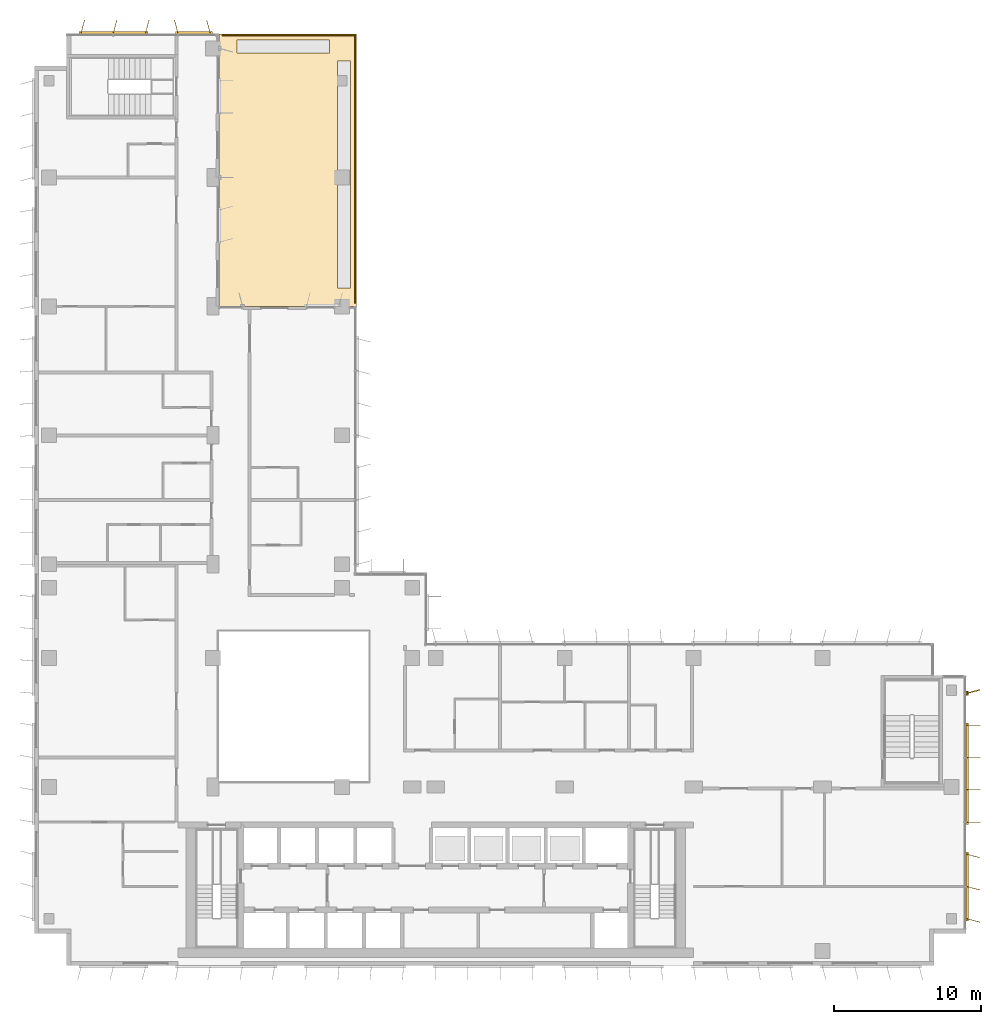
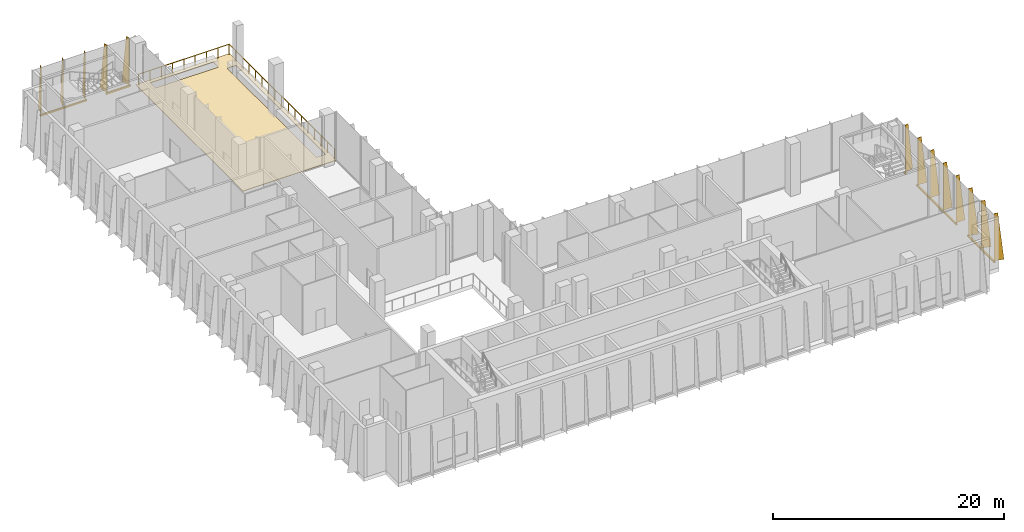
# One storey, part 23 of 24: 5 shading devices, 1 covering, 1 railing.
"""IFC4 building model written with IfcOpenShell, lengths in metres."""

from ifc_helpers import new_model, si_unit, direction, frame, origin, origin_2d, place, context, subcontext, project, spatial, polyline, rectangle, circle, outline, extrude, source, transform, mapped, material, layer, layer_set, type_object, element, save


model = new_model("IFC4")

# Units and contexts
model_context = context("Model", 3, precision=1e-05, world=origin(), true_north=direction((0.0, 1.0)))
body_context = subcontext(model_context, "Body", "Model", "MODEL_VIEW")
ifc_project = project(units=[si_unit("LENGTHUNIT", "METRE"), si_unit("AREAUNIT", "SQUARE_METRE"), si_unit("VOLUMEUNIT", "CUBIC_METRE"), si_unit("PLANEANGLEUNIT", "RADIAN"), si_unit("MASSUNIT", "GRAM", prefix="KILO")], contexts=[model_context])

# Site, building, storey
site_placement = place(None, origin())
site = spatial("IfcSite", under=ifc_project, at=site_placement, CompositionType="ELEMENT")
building_placement = place(site_placement, origin())
building = spatial("IfcBuilding", under=site, at=building_placement, Name="Kemantara Hotel Tower", CompositionType="ELEMENT")
storey_placement = place(building_placement, frame((0.0, 0.0, 202.5)))
storey = spatial("IfcBuildingStorey", under=building, at=storey_placement, Name="L50", CompositionType="ELEMENT", Elevation=202.5)

# Railing
ifc_material_1 = material(Name="Stainless steel 316 (EN 1.4401)", Category="steel")
railing_type = type_object("IfcRailingType", Name="TERRACE GUARD, STAINLESS STEEL 1100", PredefinedType="GUARDRAIL", material=ifc_material_1)
railing_placement = place(storey_placement, frame((12.85009765625, 63.5, 0.0)))
element("IfcRailing", 1, at=railing_placement, inside=storey, type_object=railing_type, Name="TERRACE GUARD TERRACE-SPA-1", PredefinedType="GUARDRAIL", context=body_context, shape_type="SweptSolid", body=[
    extrude(circle(Radius=0.02490234375, at=origin_2d()), frame((0.0, 0.0, 1.0751953125), z_axis=(1.0, 0.0, 0.0), x_axis=(0.0, 1.0, 0.0)), (0.0, 0.0, 1.0), 9.0498046875),
    extrude(circle(Radius=0.02490234375, at=origin_2d()), frame((9.0498046875, 0.0, 1.0751953125), z_axis=(0.0, -1.0, 0.0), x_axis=(1.0, 0.0, 0.0)), (0.0, 0.0, 1.0), 18.25),
    extrude(circle(Radius=0.02001953125, at=origin_2d()), origin(), (0.0, 0.0, 1.0), 1.050048828125),
    extrude(circle(Radius=0.02001953125, at=origin_2d()), frame((1.13134765625, 0.0, 0.0)), (0.0, 0.0, 1.0), 1.050048828125),
    extrude(circle(Radius=0.02001953125, at=origin_2d()), frame((2.262451171875, 0.0, 0.0)), (0.0, 0.0, 1.0), 1.050048828125),
    extrude(circle(Radius=0.02001953125, at=origin_2d()), frame((3.3935546875, 0.0, 0.0)), (0.0, 0.0, 1.0), 1.050048828125),
    extrude(circle(Radius=0.02001953125, at=origin_2d()), frame((4.52490234375, 0.0, 0.0)), (0.0, 0.0, 1.0), 1.050048828125),
    extrude(circle(Radius=0.02001953125, at=origin_2d()), frame((5.65625, 0.0, 0.0)), (0.0, 0.0, 1.0), 1.050048828125),
    extrude(circle(Radius=0.02001953125, at=origin_2d()), frame((6.787353515625, 0.0, 0.0)), (0.0, 0.0, 1.0), 1.050048828125),
    extrude(circle(Radius=0.02001953125, at=origin_2d()), frame((7.91845703125, 0.0, 0.0)), (0.0, 0.0, 1.0), 1.050048828125),
    extrude(circle(Radius=0.02001953125, at=origin_2d()), frame((9.0498046875, 0.0, 0.0)), (0.0, 0.0, 1.0), 1.050048828125),
    extrude(circle(Radius=0.02001953125, at=origin_2d()), frame((9.0498046875, -1.140625, 0.0)), (0.0, 0.0, 1.0), 1.050048828125),
    extrude(circle(Radius=0.02001953125, at=origin_2d()), frame((9.0498046875, -2.28125, 0.0)), (0.0, 0.0, 1.0), 1.050048828125),
    extrude(circle(Radius=0.02001953125, at=origin_2d()), frame((9.0498046875, -3.421875, 0.0)), (0.0, 0.0, 1.0), 1.050048828125),
    extrude(circle(Radius=0.02001953125, at=origin_2d()), frame((9.0498046875, -4.5625, 0.0)), (0.0, 0.0, 1.0), 1.050048828125),
    extrude(circle(Radius=0.02001953125, at=origin_2d()), frame((9.0498046875, -5.703125, 0.0)), (0.0, 0.0, 1.0), 1.050048828125),
    extrude(circle(Radius=0.02001953125, at=origin_2d()), frame((9.0498046875, -6.84375, 0.0)), (0.0, 0.0, 1.0), 1.050048828125),
    extrude(circle(Radius=0.02001953125, at=origin_2d()), frame((9.0498046875, -7.984375, 0.0)), (0.0, 0.0, 1.0), 1.050048828125),
    extrude(circle(Radius=0.02001953125, at=origin_2d()), frame((9.0498046875, -9.125, 0.0)), (0.0, 0.0, 1.0), 1.050048828125),
    extrude(circle(Radius=0.02001953125, at=origin_2d()), frame((9.0498046875, -10.265625, 0.0)), (0.0, 0.0, 1.0), 1.050048828125),
    extrude(circle(Radius=0.02001953125, at=origin_2d()), frame((9.0498046875, -11.40625, 0.0)), (0.0, 0.0, 1.0), 1.050048828125),
    extrude(circle(Radius=0.02001953125, at=origin_2d()), frame((9.0498046875, -12.546875, 0.0)), (0.0, 0.0, 1.0), 1.050048828125),
    extrude(circle(Radius=0.02001953125, at=origin_2d()), frame((9.0498046875, -13.6875, 0.0)), (0.0, 0.0, 1.0), 1.050048828125),
    extrude(circle(Radius=0.02001953125, at=origin_2d()), frame((9.0498046875, -14.828125, 0.0)), (0.0, 0.0, 1.0), 1.050048828125),
    extrude(circle(Radius=0.02001953125, at=origin_2d()), frame((9.0498046875, -15.96875, 0.0)), (0.0, 0.0, 1.0), 1.050048828125),
    extrude(circle(Radius=0.02001953125, at=origin_2d()), frame((9.0498046875, -17.109375, 0.0)), (0.0, 0.0, 1.0), 1.050048828125),
    extrude(circle(Radius=0.02001953125, at=origin_2d()), frame((9.0498046875, -18.25, 0.0)), (0.0, 0.0, 1.0), 1.050048828125),
])

# Covering
ifc_material_2 = material(Name="Bituminous roofing membrane under porcelain paving")
ifc_layer_1 = layer(ifc_material_2, 0.050048828125)
ifc_layer_set_1 = layer_set([ifc_layer_1], Name="Bituminous roofing membrane under porcelain paving")
covering_type = type_object("IfcCoveringType", Name="TERRACE ROOFING AND PAVING 50", PredefinedType="ROOFING", material=ifc_layer_set_1)
covering_placement = place(storey_placement, frame((0.0, 0.0, -0.050048828125)))
element("IfcCovering", 2, at=covering_placement, inside=storey, type_object=covering_type, Name="ROOFING AND PAVING TERRACE-SPA", PredefinedType="ROOFING", context=body_context, shape_type="SweptSolid", body=[
    extrude(outline(polyline([(12.60009765625, 63.60009765625), (22.0, 63.60009765625), (22.0, 45.0), (12.60009765625, 45.0), (12.60009765625, 63.60009765625)]), holes=[polyline([(13.85009765625, 62.300048828125), (20.14990234375, 62.300048828125), (20.14990234375, 63.199951171875), (13.85009765625, 63.199951171875), (13.85009765625, 62.300048828125)]), polyline([(21.60009765625, 61.75), (20.699951171875, 61.75), (20.699951171875, 46.25), (21.60009765625, 46.25), (21.60009765625, 61.75)])]), origin(), (0.0, 0.0, 1.0), 0.050048828125),
])

# Shading devices
ifc_material_3 = material(Name="Perforated aluminium plate 4 mm bronze anodised", Category="aluminium")
ifc_layer_2 = layer(ifc_material_3, 0.0400390625)
ifc_layer_set_2 = layer_set([ifc_layer_2], Name="Perforated aluminium plate 4 mm bronze anodised")
shading_device_type_1 = type_object("IfcShadingDeviceType", Name="SCREEN FIN CASSETTE, 4 BLADES AT +0.0 DEG, 5000 HIGH", PredefinedType="USERDEFINED", material=ifc_layer_set_2)
shared_shape_1 = source(origin(), body_context, "Body", "SweptSolid", [
    extrude(rectangle(XDim=6.89990234375, YDim=0.14990234375, at=origin_2d()), frame((3.300048828125, -0.074951171875, -0.14990234375), z_axis=(0.0, 0.0, 1.0), x_axis=(1.0, 0.0, 0.0)), (0.0, 0.0, 1.0), 0.14990234375),
    extrude(outline(polyline([(0.0, 0.0), (0.89990234375, 0.0), (0.35009765625, 5.0), (0.0, 5.0), (0.0, 0.0)])), frame((0.02001953125, -0.074951171875, 0.0), z_axis=(-1.0, 0.0, 0.0), x_axis=(0.0, -1.0, 0.0)), (0.0, 0.0, 1.0), 0.0400390625),
    extrude(outline(polyline([(0.0, 0.0), (0.89990234375, 0.0), (0.35009765625, 5.0), (0.0, 5.0), (0.0, 0.0)])), frame((2.219970703125, -0.074951171875, 0.0), z_axis=(-1.0, 0.0, 0.0), x_axis=(0.0, -1.0, 0.0)), (0.0, 0.0, 1.0), 0.0400390625),
    extrude(outline(polyline([(0.0, 0.0), (0.89990234375, 0.0), (0.35009765625, 5.0), (0.0, 5.0), (0.0, 0.0)])), frame((4.419921875, -0.074951171875, 0.0), z_axis=(-1.0, 0.0, 0.0), x_axis=(0.0, -1.0, 0.0)), (0.0, 0.0, 1.0), 0.0400390625),
    extrude(outline(polyline([(0.0, 0.0), (0.89990234375, 0.0), (0.35009765625, 5.0), (0.0, 5.0), (0.0, 0.0)])), frame((6.6201171875, -0.074951171875, 0.0), z_axis=(-1.0, 0.0, 0.0), x_axis=(0.0, -1.0, 0.0)), (0.0, 0.0, 1.0), 0.0400390625),
])
shading_device_1_placement = place(storey_placement, frame((63.60009765625, 9.800048828125, 0.10009765625), z_axis=(0.0, 0.0, 1.0), x_axis=(0.0, 1.0, 0.0)))
element("IfcShadingDevice", 3, at=shading_device_1_placement, inside=storey, type_object=shading_device_type_1, Name="SCREEN FIN CASSETTE L50 T3S-R12-2", ObjectType="SCREEN FIN", PredefinedType="USERDEFINED", context=body_context, shape_type="MappedRepresentation", body=[
    mapped(shared_shape_1, transform((0.0, 0.0, 0.0))),
])
ifc_layer_3 = layer(ifc_material_3, 0.0400390625)
ifc_layer_set_3 = layer_set([ifc_layer_3], Name="Perforated aluminium plate 4 mm bronze anodised")
shading_device_type_2 = type_object("IfcShadingDeviceType", Name="SCREEN FIN CASSETTE, 3 BLADES AT -15.0 DEG, 5000 HIGH", PredefinedType="USERDEFINED", material=ifc_layer_set_3)
shared_shape_2 = source(origin(), body_context, "Body", "SweptSolid", [
    extrude(rectangle(XDim=4.699951171875, YDim=0.14990234375, at=origin_2d()), frame((2.199951171875, -0.074951171875, -0.14990234375), z_axis=(0.0, 0.0, 1.0), x_axis=(1.0, 0.0, 0.0)), (0.0, 0.0, 1.0), 0.14990234375),
    extrude(outline(polyline([(0.0, 0.0), (0.89990234375, 0.0), (0.35009765625, 5.0), (0.0, 5.0), (0.0, 0.0)])), frame((0.019287109375, -0.080078125, 0.0), z_axis=(-0.966437683387, 0.256901156343, 0.0), x_axis=(-0.256901156343, -0.966437683387, 0.0)), (0.0, 0.0, 1.0), 0.039794921875),
    extrude(outline(polyline([(0.0, 0.0), (0.89990234375, 0.0), (0.35009765625, 5.0), (0.0, 5.0), (0.0, 0.0)])), frame((2.21923828125, -0.080078125, 0.0), z_axis=(-0.966437683387, 0.256901156343, 0.0), x_axis=(-0.256901156343, -0.966437683387, 0.0)), (0.0, 0.0, 1.0), 0.039794921875),
    extrude(outline(polyline([(0.0, 0.0), (0.89990234375, 0.0), (0.35009765625, 5.0), (0.0, 5.0), (0.0, 0.0)])), frame((4.41943359375, -0.080078125, 0.0), z_axis=(-0.966837822169, 0.255391122837, 0.0), x_axis=(-0.255391122837, -0.966837822169, 0.0)), (0.0, 0.0, 1.0), 0.0400390625),
])
for number, where, z_axis, x_axis, name in (
    (4, (7.60009765625, 63.60009765625, 0.10009765625), (0.0, 0.0, 1.0), (-1.0, 0.0, 0.0), "SCREEN FIN CASSETTE L50 T3S-R03-2"),
    (5, (63.60009765625, 3.199951171875, 0.10009765625), (0.0, 0.0, 1.0), (0.0, 1.0, 0.0), "SCREEN FIN CASSETTE L50 T3S-R12-1"),
):
    element("IfcShadingDevice", number, at=place(storey_placement, frame(where, z_axis=z_axis, x_axis=x_axis)), inside=storey, type_object=shading_device_type_2, Name=name, ObjectType="SCREEN FIN", PredefinedType="USERDEFINED", context=body_context, shape_type="MappedRepresentation", body=[
        mapped(shared_shape_2, transform((0.0, 0.0, 0.0))),
    ])
ifc_layer_4 = layer(ifc_material_3, 0.0400390625)
ifc_layer_set_4 = layer_set([ifc_layer_4], Name="Perforated aluminium plate 4 mm bronze anodised")
shading_device_type_3 = type_object("IfcShadingDeviceType", Name="SCREEN FIN CASSETTE, 1 BLADE AT +15.0 DEG, 5000 HIGH", PredefinedType="USERDEFINED", material=ifc_layer_set_4)
shared_shape_3 = source(origin(), body_context, "Body", "SweptSolid", [
    extrude(rectangle(XDim=0.300048828125, YDim=0.14990234375, at=origin_2d()), frame((0.0, -0.074951171875, -0.14990234375), z_axis=(0.0, 0.0, 1.0), x_axis=(1.0, 0.0, 0.0)), (0.0, 0.0, 1.0), 0.14990234375),
    extrude(outline(polyline([(0.0, 0.0), (0.89990234375, 0.0), (0.35009765625, 5.0), (0.0, 5.0), (0.0, 0.0)])), frame((0.019287109375, -0.06982421875, 0.0), z_axis=(-0.966437683387, -0.256901156343, 0.0), x_axis=(0.256901156343, -0.966437683387, 0.0)), (0.0, 0.0, 1.0), 0.039794921875),
])
shading_device_2_placement = place(storey_placement, frame((63.60009765625, 18.60009765625, 0.10009765625), z_axis=(0.0, 0.0, 1.0), x_axis=(0.0, 1.0, 0.0)))
element("IfcShadingDevice", 6, at=shading_device_2_placement, inside=storey, type_object=shading_device_type_3, Name="SCREEN FIN CASSETTE L50 T3S-R12-3", ObjectType="SCREEN FIN", PredefinedType="USERDEFINED", context=body_context, shape_type="MappedRepresentation", body=[
    mapped(shared_shape_3, transform((0.0, 0.0, 0.0))),
])
ifc_layer_5 = layer(ifc_material_3, 0.0400390625)
ifc_layer_set_5 = layer_set([ifc_layer_5], Name="Perforated aluminium plate 4 mm bronze anodised")
shading_device_type_4 = type_object("IfcShadingDeviceType", Name="SCREEN FIN CASSETTE, 2 BLADES AT +15.0 DEG, 5000 HIGH", PredefinedType="USERDEFINED", material=ifc_layer_set_5)
shared_shape_4 = source(origin(), body_context, "Body", "SweptSolid", [
    extrude(rectangle(XDim=2.5, YDim=0.14990234375, at=origin_2d()), frame((1.10009765625, -0.074951171875, -0.14990234375), z_axis=(0.0, 0.0, 1.0), x_axis=(1.0, 0.0, 0.0)), (0.0, 0.0, 1.0), 0.14990234375),
    extrude(outline(polyline([(0.0, 0.0), (0.89990234375, 0.0), (0.35009765625, 5.0), (0.0, 5.0), (0.0, 0.0)])), frame((0.019287109375, -0.06982421875, 0.0), z_axis=(-0.966437683387, -0.256901156343, 0.0), x_axis=(0.256901156343, -0.966437683387, 0.0)), (0.0, 0.0, 1.0), 0.039794921875),
    extrude(outline(polyline([(0.0, 0.0), (0.89990234375, 0.0), (0.35009765625, 5.0), (0.0, 5.0), (0.0, 0.0)])), frame((2.21923828125, -0.06982421875, 0.0), z_axis=(-0.966437683387, -0.256901156343, 0.0), x_axis=(0.256901156343, -0.966437683387, 0.0)), (0.0, 0.0, 1.0), 0.039794921875),
])
shading_device_3_placement = place(storey_placement, frame((12.0, 63.60009765625, 0.10009765625), z_axis=(0.0, 0.0, 1.0), x_axis=(-1.0, 0.0, 0.0)))
element("IfcShadingDevice", 7, at=shading_device_3_placement, inside=storey, type_object=shading_device_type_4, Name="SCREEN FIN CASSETTE L50 T3S-R03-1", ObjectType="SCREEN FIN", PredefinedType="USERDEFINED", context=body_context, shape_type="MappedRepresentation", body=[
    mapped(shared_shape_4, transform((0.0, 0.0, 0.0))),
])

save(model, "model.ifc")
